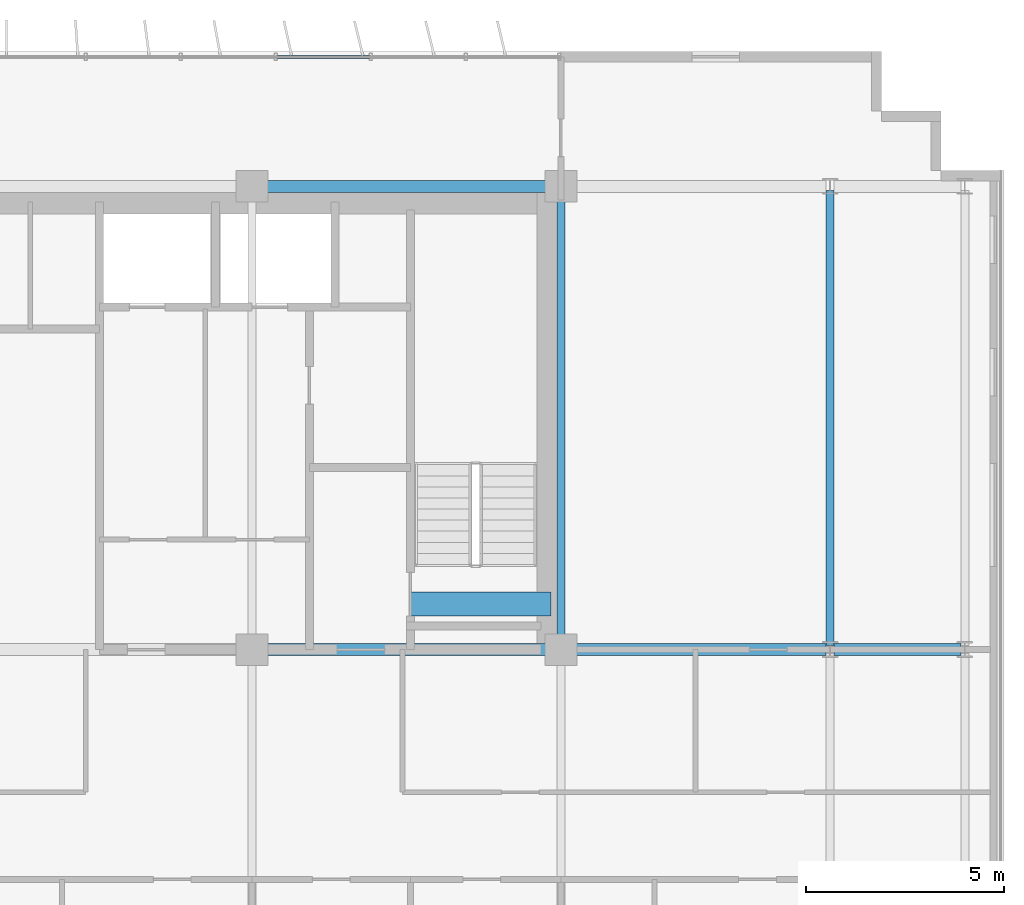
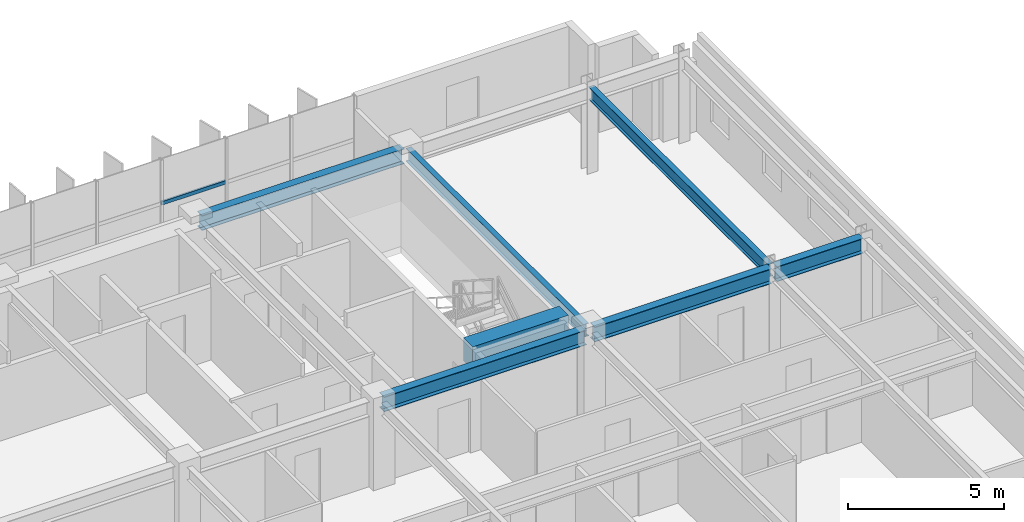
# One storey, part 10 of 21: 7 beams, 1 member, 1 element without a shape of its own.
"""IFC4 building model written with IfcOpenShell, lengths in metres."""

from ifc_helpers import new_model, si_unit, direction, frame, origin, origin_2d, place, context, subcontext, project, spatial, rectangle, hollow_rectangle, i_section, extrude, source, transform, mapped, material, material_profile, profile_set, type_object, element, aggregate, save


model = new_model("IFC4")

# Units and contexts
model_context = context("Model", 3, precision=1e-05, world=origin(), true_north=direction((0.0, 1.0)))
body_context = subcontext(model_context, "Body", "Model", "MODEL_VIEW")
ifc_project = project(units=[si_unit("LENGTHUNIT", "METRE"), si_unit("AREAUNIT", "SQUARE_METRE"), si_unit("VOLUMEUNIT", "CUBIC_METRE"), si_unit("PLANEANGLEUNIT", "RADIAN"), si_unit("MASSUNIT", "GRAM", prefix="KILO")], contexts=[model_context])

# Site, building, storey
site_placement = place(None, origin())
site = spatial("IfcSite", under=ifc_project, at=site_placement, CompositionType="ELEMENT")
building_placement = place(site_placement, origin())
building = spatial("IfcBuilding", under=site, at=building_placement, Name="Trelvane Seafront Commons", CompositionType="ELEMENT")
storey_placement = place(building_placement, frame((0.0, 0.0, 110.5)))
storey = spatial("IfcBuildingStorey", under=building, at=storey_placement, Name="L28", CompositionType="ELEMENT", Elevation=110.5)

# Beams
ifc_material_1 = material(Name="Concrete C60/75", Category="concrete")
ifc_material_profile_1 = material_profile(ifc_material_1, rectangle(XDim=0.60009765625, YDim=0.89990234375, at=origin_2d()), Name="RC-600x900")
ifc_profile_set_1 = profile_set([ifc_material_profile_1], Name="Concrete C60/75")
beam_type_1 = type_object("IfcBeamType", Name="STR-LNT-RC600x900", PredefinedType="LINTEL", material=ifc_profile_set_1)
shared_shape_1 = source(origin(), body_context, "Body", "SweptSolid", [
    extrude(rectangle(XDim=0.60009765625, YDim=0.89990234375, at=origin_2d()), origin(), (0.0, 0.0, 1.0), 3.550048828125),
])
beam_1_placement = place(storey_placement, frame((55.0, 34.550048828125, 2.889892578125), z_axis=(1.0, 0.0, 0.0), x_axis=(0.0, 1.0, 0.0)))
element("IfcBeam", 1, at=beam_1_placement, inside=storey, type_object=beam_type_1, Name="L28 Core Coupling Lintel Beam CB-86", PredefinedType="LINTEL", context=body_context, shape_type="MappedRepresentation", body=[
    mapped(shared_shape_1, transform((0.0, 0.0, 0.0), x_axis=(1.0, 0.0, 0.0), y_axis=(0.0, 1.0, 0.0), z_axis=(0.0, 0.0, 1.0), scale=1.0)),
])
ifc_material_2 = material(Name="Steel SM355 (S355)", Category="steel")
ifc_material_profile_2 = material_profile(ifc_material_2, i_section(OverallWidth=0.300048828125, OverallDepth=0.587890625, WebThickness=0.011962890625, FlangeThickness=0.02001953125, at=origin_2d()), Name="H-588x300x12x20")
ifc_profile_set_2 = profile_set([ifc_material_profile_2], Name="Steel SM355 (S355)")
beam_type_2 = type_object("IfcBeamType", Name="STR-BM-H588", PredefinedType="BEAM", material=ifc_profile_set_2)
shared_shape_2 = source(origin(), body_context, "Body", "SweptSolid", [
    extrude(i_section(OverallWidth=0.300048828125, OverallDepth=0.587890625, WebThickness=0.011962890625, FlangeThickness=0.02001953125, at=origin_2d()), origin(), (0.0, 0.0, 1.0), 3.199951171875),
])
beam_2_placement = place(storey_placement, frame((65.699951171875, 33.39990234375, 3.0458984375), z_axis=(1.0, 0.0, 0.0), x_axis=(0.0, 1.0, 0.0)))
element("IfcBeam", 2, at=beam_2_placement, inside=storey, type_object=beam_type_2, Name="L28 Primary Girder G-27", PredefinedType="BEAM", context=body_context, shape_type="MappedRepresentation", body=[
    mapped(shared_shape_2, transform((0.0, 0.0, 0.0), x_axis=(1.0, 0.0, 0.0), y_axis=(0.0, 1.0, 0.0), z_axis=(0.0, 0.0, 1.0), scale=1.0)),
])
shared_shape_3 = source(origin(), body_context, "Body", "SweptSolid", [
    extrude(i_section(OverallWidth=0.300048828125, OverallDepth=0.587890625, WebThickness=0.011962890625, FlangeThickness=0.02001953125, at=origin_2d()), origin(), (0.0, 0.0, 1.0), 6.550048828125),
])
beam_3_placement = place(storey_placement, frame((58.949951171875, 33.39990234375, 3.0458984375), z_axis=(1.0, 0.0, 0.0), x_axis=(0.0, 1.0, 0.0)))
element("IfcBeam", 3, at=beam_3_placement, inside=storey, type_object=beam_type_2, Name="L28 Primary Girder G-26", PredefinedType="BEAM", context=body_context, shape_type="MappedRepresentation", body=[
    mapped(shared_shape_3, transform((0.0, 0.0, 0.0), x_axis=(1.0, 0.0, 0.0), y_axis=(0.0, 1.0, 0.0), z_axis=(0.0, 0.0, 1.0), scale=1.0)),
])
shared_shape_4 = source(origin(), body_context, "Body", "SweptSolid", [
    extrude(i_section(OverallWidth=0.300048828125, OverallDepth=0.587890625, WebThickness=0.011962890625, FlangeThickness=0.02001953125, at=origin_2d()), origin(), (0.0, 0.0, 1.0), 7.5),
])
for number, where, z_axis, x_axis, name in (
    (4, (51.14990234375, 33.39990234375, 3.0458984375), (1.0, 0.0, 0.0), (0.0, 1.0, 0.0), "L28 Primary Girder G-25"),
    (5, (51.14990234375, 45.10009765625, 3.0458984375), (1.0, 0.0, 0.0), (0.0, 1.0, 0.0), "L28 Primary Girder G-34"),
):
    element("IfcBeam", number, at=place(storey_placement, frame(where, z_axis=z_axis, x_axis=x_axis)), inside=storey, type_object=beam_type_2, Name=name, PredefinedType="BEAM", context=body_context, shape_type="MappedRepresentation", body=[
        mapped(shared_shape_4, transform((0.0, 0.0, 0.0), x_axis=(1.0, 0.0, 0.0), y_axis=(0.0, 1.0, 0.0), z_axis=(0.0, 0.0, 1.0), scale=1.0)),
    ])
ifc_material_profile_3 = material_profile(ifc_material_2, i_section(OverallWidth=0.199951171875, OverallDepth=0.5, WebThickness=0.010009765625, FlangeThickness=0.01611328125, at=origin_2d()), Name="H-500x200x10x16")
ifc_profile_set_3 = profile_set([ifc_material_profile_3], Name="Steel SM355 (S355)")
beam_type_3 = type_object("IfcBeamType", Name="STR-BM-H500", PredefinedType="BEAM", material=ifc_profile_set_3)
shared_shape_5 = source(origin(), body_context, "Body", "SweptSolid", [
    extrude(i_section(OverallWidth=0.199951171875, OverallDepth=0.5, WebThickness=0.010009765625, FlangeThickness=0.01611328125, at=origin_2d()), origin(), (0.0, 0.0, 1.0), 11.5),
])
beam_4_placement = place(storey_placement, frame((65.60009765625, 33.5, 3.090087890625), z_axis=(0.0, 1.0, 0.0), x_axis=(-1.0, 0.0, 0.0)))
element("IfcBeam", 6, at=beam_4_placement, inside=storey, type_object=beam_type_3, Name="L28 Primary Girder G-63", PredefinedType="BEAM", context=body_context, shape_type="MappedRepresentation", body=[
    mapped(shared_shape_5, transform((0.0, 0.0, 0.0), x_axis=(1.0, 0.0, 0.0), y_axis=(0.0, 1.0, 0.0), z_axis=(0.0, 0.0, 1.0), scale=1.0)),
])
shared_shape_6 = source(origin(), body_context, "Body", "SweptSolid", [
    extrude(i_section(OverallWidth=0.199951171875, OverallDepth=0.5, WebThickness=0.010009765625, FlangeThickness=0.01611328125, at=origin_2d()), origin(), (0.0, 0.0, 1.0), 11.39990234375),
])
beam_5_placement = place(storey_placement, frame((58.800048828125, 33.550048828125, 3.090087890625), z_axis=(0.0, 1.0, 0.0), x_axis=(-1.0, 0.0, 0.0)))
element("IfcBeam", 7, at=beam_5_placement, inside=storey, type_object=beam_type_3, Name="L28 Primary Girder G-60", PredefinedType="BEAM", context=body_context, shape_type="MappedRepresentation", body=[
    mapped(shared_shape_6, transform((0.0, 0.0, 0.0), x_axis=(1.0, 0.0, 0.0), y_axis=(0.0, 1.0, 0.0), z_axis=(0.0, 0.0, 1.0), scale=1.0)),
])

# Curtain wall, member
ifc_material_3 = material(Name="Anodised pale-silver aluminium", Category="aluminium")
curtain_wall_type = type_object("IfcCurtainWallType", Name="ARCH-CW4-SKYLOBBY", PredefinedType="NOTDEFINED", material=ifc_material_3)
curtain_wall_placement = place(storey_placement, origin())
curtain_wall = element("IfcCurtainWall", 8, at=curtain_wall_placement, inside=storey, type_object=curtain_wall_type, Name="CW-L28-0053", PredefinedType="NOTDEFINED")
ifc_material_profile_4 = material_profile(ifc_material_3, hollow_rectangle(XDim=0.074951171875, YDim=0.139892578125, WallThickness=0.00390625, at=origin_2d()), Name="TRAN-75x140x4")
ifc_profile_set_4 = profile_set([ifc_material_profile_4], Name="Anodised pale-silver aluminium")
member_type = type_object("IfcMemberType", Name="ARCH-CW-TRAN-140", PredefinedType="USERDEFINED", material=ifc_profile_set_4)
shared_shape_7 = source(origin(), body_context, "Body", "SweptSolid", [
    extrude(hollow_rectangle(XDim=0.074951171875, YDim=0.139892578125, WallThickness=0.00390625, at=origin_2d()), origin(), (0.0, 0.0, 1.0), 2.3759765625),
])
member_placement = place(storey_placement, frame((51.612060546875, 48.3701171875, 1.60302734375), z_axis=(1.0, 0.0, 0.0), x_axis=(0.0, 1.0, 0.0)))
member = element("IfcMember", 9, at=member_placement, type_object=member_type, Name="CW-L28-0053-T15", ObjectType="TRANSOM", PredefinedType="USERDEFINED", context=body_context, shape_type="MappedRepresentation", body=[
    mapped(shared_shape_7, transform((0.0, 0.0, 0.0), x_axis=(1.0, 0.0, 0.0), y_axis=(0.0, 1.0, 0.0), z_axis=(0.0, 0.0, 1.0), scale=1.0)),
])
aggregate(curtain_wall, [member])

save(model, "model.ifc")
